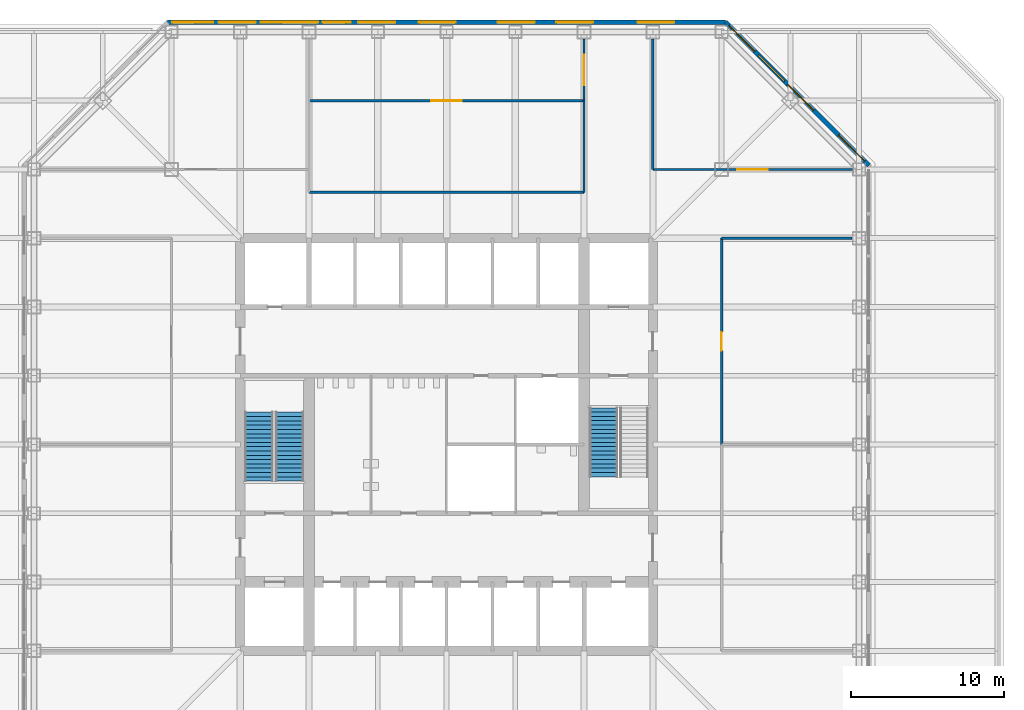
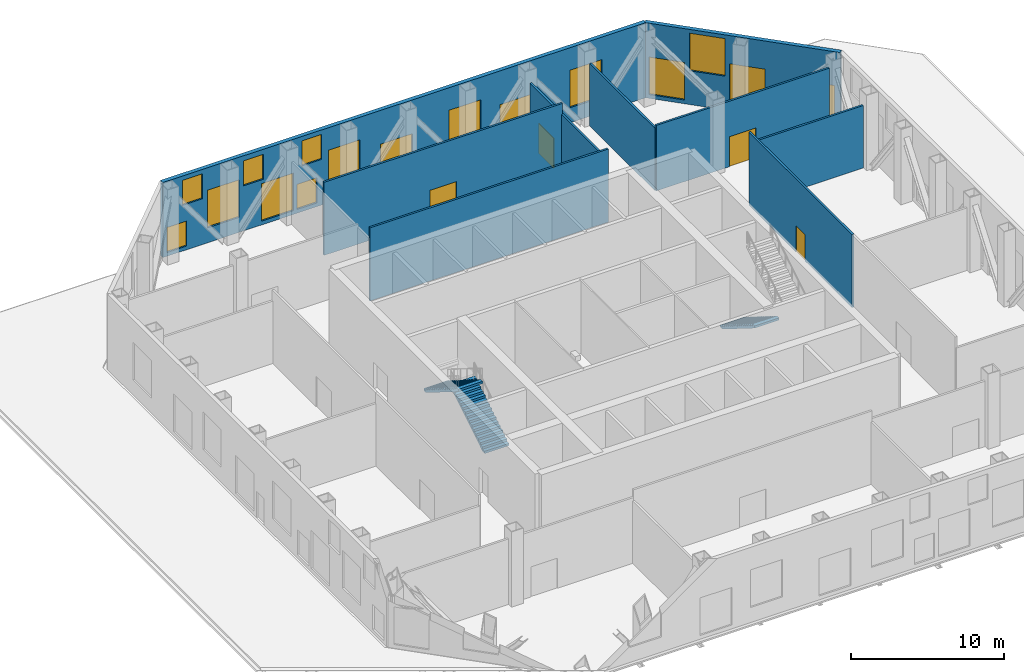
# One storey, part 7 of 10: 16 windows, 10 walls, 4 doors, 3 stair flights, 20 openings, 2 elements without a shape of their own.
"""IFC4 building model written with IfcOpenShell, lengths in metres."""

from ifc_helpers import new_model, si_unit, direction, frame, frame_2d, origin, place, context, subcontext, project, spatial, polyline, rectangle, outline, extrude, material, layer, layer_set, type_object, element, fill, aggregate, save


model = new_model("IFC4")

# Units and contexts
model_context = context("Model", 3, precision=1e-05, world=origin(), true_north=direction((0.0, 1.0)))
body_context = subcontext(model_context, "Body", "Model", "MODEL_VIEW")
ifc_project = project(units=[si_unit("LENGTHUNIT", "METRE"), si_unit("AREAUNIT", "SQUARE_METRE"), si_unit("VOLUMEUNIT", "CUBIC_METRE"), si_unit("PLANEANGLEUNIT", "RADIAN"), si_unit("MASSUNIT", "GRAM", prefix="KILO")], contexts=[model_context])

# Site, building, storey
site_placement = place(None, origin())
site = spatial("IfcSite", under=ifc_project, at=site_placement, CompositionType="ELEMENT")
building_placement = place(site_placement, origin())
building = spatial("IfcBuilding", under=site, at=building_placement, Name="Corais Broadcast Tower", CompositionType="ELEMENT")
storey_placement = place(building_placement, frame((0.0, 0.0, 23.0)))
storey = spatial("IfcBuildingStorey", under=building, at=storey_placement, Name="L04", CompositionType="ELEMENT", Elevation=23.0)

# Walls
ifc_material_1 = material(Name="Two layers of fire-rated gypsum board each side on steel studs", Category="steel")
ifc_layer_1 = layer(ifc_material_1, 0.14990234375)
ifc_layer_set_1 = layer_set([ifc_layer_1], Name="Two layers of fire-rated gypsum board each side on steel studs")
wall_type_1 = type_object("IfcWallType", Name="Fire-rated partition 150 EI 60", PredefinedType="PARTITIONING", material=ifc_layer_set_1)
wall_1_placement = place(storey_placement, frame((18.0, 43.5, 0.0), z_axis=(0.0, 0.0, 1.0), x_axis=(1.0, 0.0, 0.0)))
element("IfcWall", 1, at=wall_1_placement, inside=storey, type_object=wall_type_1, Name="IW7 partition L04", PredefinedType="PARTITIONING", context=body_context, shape_type="SweptSolid", body=[
    extrude(rectangle(XDim=18.0, YDim=0.14990234375, at=frame_2d((9.0, 0.0))), origin(), (0.0, 0.0, 1.0), 5.840087890625),
])
wall_2_placement = place(storey_placement, frame((36.0, 43.5, 0.0), z_axis=(0.0, 0.0, 1.0), x_axis=(0.0, 1.0, 0.0)))
element("IfcWall", 2, at=wall_2_placement, inside=storey, type_object=wall_type_1, Name="IW7 partition L04", PredefinedType="PARTITIONING", context=body_context, shape_type="SweptSolid", body=[
    extrude(rectangle(XDim=6.0, YDim=0.14990234375, at=frame_2d((3.0, 0.0))), origin(), (0.0, 0.0, 1.0), 4.989013671875),
])

# Wall, opening, door
wall_3_placement = place(storey_placement, frame((36.0, 49.5, 0.0), z_axis=(0.0, 0.0, 1.0), x_axis=(-1.0, 0.0, 0.0)))
wall_3 = element("IfcWall", 3, at=wall_3_placement, inside=storey, type_object=wall_type_1, Name="IW7 partition L04", PredefinedType="PARTITIONING", context=body_context, shape_type="SweptSolid", body=[
    extrude(rectangle(XDim=18.0, YDim=0.14990234375, at=frame_2d((9.0, 0.0))), origin(), (0.0, 0.0, 1.0), 5.840087890625),
])
opening_1_placement = place(wall_3_placement, frame((8.0, 0.0, 0.0)))
opening_1 = element("IfcOpeningElement", 4, at=opening_1_placement, cuts=wall_3, Name="Opening D4", PredefinedType="OPENING", context=body_context, shape_type="SweptSolid", body=[
    extrude(rectangle(XDim=2.0, YDim=2.39990234375, at=frame_2d((1.0, 1.199951171875))), frame((0.0, 0.0849609375, 0.0), z_axis=(0.0, -1.0, 0.0), x_axis=(1.0, 0.0, 0.0)), (0.0, 0.0, 1.0), 0.169921875),
])
ifc_material_2 = material(Name="Steel door", Category="steel")
door_type_1 = type_object("IfcDoorType", Name="Plant room door pair 2000x2400", OperationType="DOUBLE_DOOR_SINGLE_SWING", PredefinedType="DOOR", material=ifc_material_2)
door_1_placement = place(opening_1_placement, origin())
door_1 = element("IfcDoor", 5, at=door_1_placement, inside=storey, type_object=door_type_1, Name="D4 Water tank room door", OperationType="SINGLE_SWING_LEFT", OverallHeight=2.39990234375, OverallWidth=2.0, PredefinedType="DOOR", context=body_context, shape_type="SweptSolid", body=[
    extrude(rectangle(XDim=2.0, YDim=2.39990234375, at=frame_2d((1.0, 1.199951171875))), frame((0.0, 0.02490234375, 0.0), z_axis=(0.0, -1.0, 0.0), x_axis=(1.0, 0.0, 0.0)), (0.0, 0.0, 1.0), 0.050048828125),
])
fill(opening_1, door_1)

wall_4_placement = place(storey_placement, frame((40.5, 45.0, 0.0), z_axis=(0.0, 0.0, 1.0), x_axis=(1.0, 0.0, 0.0)))
wall_4 = element("IfcWall", 6, at=wall_4_placement, inside=storey, type_object=wall_type_1, Name="IW7 partition L04", PredefinedType="PARTITIONING", context=body_context, shape_type="SweptSolid", body=[
    extrude(rectangle(XDim=13.06494140625, YDim=0.14990234375, at=frame_2d((6.532470703125, 0.0))), origin(), (0.0, 0.0, 1.0), 5.22900390625),
])
opening_2_placement = place(wall_4_placement, frame((5.532470703125, 0.0, 0.0)))
opening_2 = element("IfcOpeningElement", 7, at=opening_2_placement, cuts=wall_4, Name="Opening D4", PredefinedType="OPENING", context=body_context, shape_type="SweptSolid", body=[
    extrude(rectangle(XDim=2.0, YDim=2.39990234375, at=frame_2d((1.0, 1.199951171875))), frame((0.0, 0.0849609375, 0.0), z_axis=(0.0, -1.0, 0.0), x_axis=(1.0, 0.0, 0.0)), (0.0, 0.0, 1.0), 0.169921875),
])
door_2_placement = place(opening_2_placement, origin())
door_2 = element("IfcDoor", 8, at=door_2_placement, inside=storey, type_object=door_type_1, Name="D4 Building controls plant room door", OperationType="SINGLE_SWING_LEFT", OverallHeight=2.39990234375, OverallWidth=2.0, PredefinedType="DOOR", context=body_context, shape_type="SweptSolid", body=[
    extrude(rectangle(XDim=2.0, YDim=2.39990234375, at=frame_2d((1.0, 1.199951171875))), frame((0.0, 0.02490234375, 0.0), z_axis=(0.0, -1.0, 0.0), x_axis=(1.0, 0.0, 0.0)), (0.0, 0.0, 1.0), 0.050048828125),
])
fill(opening_2, door_2)

# Wall
wall_5_placement = place(storey_placement, frame((40.5, 53.5400390625, 0.0), z_axis=(0.0, 0.0, 1.0), x_axis=(0.0, -1.0, 0.0)))
element("IfcWall", 9, at=wall_5_placement, inside=storey, type_object=wall_type_1, Name="IW7 partition L04", PredefinedType="PARTITIONING", context=body_context, shape_type="SweptSolid", body=[
    extrude(rectangle(XDim=8.5400390625, YDim=0.14990234375, at=frame_2d((4.27001953125, 0.0))), origin(), (0.0, 0.0, 1.0), 4.989013671875),
])

# Wall, opening, door
wall_6_placement = place(storey_placement, frame((36.0, 49.5, 0.0), z_axis=(0.0, 0.0, 1.0), x_axis=(0.0, 1.0, 0.0)))
wall_6 = element("IfcWall", 10, at=wall_6_placement, inside=storey, type_object=wall_type_1, Name="IW7 partition L04", PredefinedType="PARTITIONING", context=body_context, shape_type="SweptSolid", body=[
    extrude(rectangle(XDim=4.0400390625, YDim=0.14990234375, at=frame_2d((2.02001953125, 0.0))), origin(), (0.0, 0.0, 1.0), 4.989013671875),
])
opening_3_placement = place(wall_6_placement, frame((1.02001953125, 0.0, 0.0)))
opening_3 = element("IfcOpeningElement", 11, at=opening_3_placement, cuts=wall_6, Name="Opening D4", PredefinedType="OPENING", context=body_context, shape_type="SweptSolid", body=[
    extrude(rectangle(XDim=2.0, YDim=2.39990234375, at=frame_2d((1.0, 1.199951171875))), frame((0.0, 0.0849609375, 0.0), z_axis=(0.0, -1.0, 0.0), x_axis=(1.0, 0.0, 0.0)), (0.0, 0.0, 1.0), 0.169921875),
])
door_3_placement = place(opening_3_placement, origin())
door_3 = element("IfcDoor", 12, at=door_3_placement, inside=storey, type_object=door_type_1, Name="D4 Booster pump plant room door", OperationType="SINGLE_SWING_LEFT", OverallHeight=2.39990234375, OverallWidth=2.0, PredefinedType="DOOR", context=body_context, shape_type="SweptSolid", body=[
    extrude(rectangle(XDim=2.0, YDim=2.39990234375, at=frame_2d((1.0, 1.199951171875))), frame((0.0, 0.02490234375, 0.0), z_axis=(0.0, -1.0, 0.0), x_axis=(1.0, 0.0, 0.0)), (0.0, 0.0, 1.0), 0.050048828125),
])
fill(opening_3, door_3)

# Wall
ifc_material_3 = material(Name="Two layers of fire-rated gypsum board each side on steel studs", Category="steel")
ifc_layer_2 = layer(ifc_material_3, 0.14990234375)
ifc_layer_set_2 = layer_set([ifc_layer_2], Name="Two layers of fire-rated gypsum board each side on steel studs")
wall_type_2 = type_object("IfcWallType", Name="Fire-rated partition 150 EI 90", PredefinedType="PARTITIONING", material=ifc_layer_set_2)
wall_7_placement = place(storey_placement, frame((53.5400390625, 40.5, 0.0), z_axis=(0.0, 0.0, 1.0), x_axis=(-1.0, 0.0, 0.0)))
element("IfcWall", 13, at=wall_7_placement, inside=storey, type_object=wall_type_2, Name="IW8 partition L04", PredefinedType="PARTITIONING", context=body_context, shape_type="SweptSolid", body=[
    extrude(rectangle(XDim=8.5400390625, YDim=0.14990234375, at=frame_2d((4.27001953125, 0.0))), origin(), (0.0, 0.0, 1.0), 4.989013671875),
])

# Wall, opening, door
wall_8_placement = place(storey_placement, frame((45.0, 40.5, 0.0), z_axis=(0.0, 0.0, 1.0), x_axis=(0.0, -1.0, 0.0)))
wall_8 = element("IfcWall", 14, at=wall_8_placement, inside=storey, type_object=wall_type_2, Name="IW8 partition L04", PredefinedType="PARTITIONING", context=body_context, shape_type="SweptSolid", body=[
    extrude(rectangle(XDim=13.5, YDim=0.14990234375, at=frame_2d((6.75, 0.0))), origin(), (0.0, 0.0, 1.0), 5.840087890625),
])
opening_4_placement = place(wall_8_placement, frame((6.14990234375, 0.0, 0.0)))
opening_4 = element("IfcOpeningElement", 15, at=opening_4_placement, cuts=wall_8, Name="Opening FD1", PredefinedType="OPENING", context=body_context, shape_type="SweptSolid", body=[
    extrude(rectangle(XDim=1.199951171875, YDim=2.10009765625, at=frame_2d((0.60009765625, 1.050048828125))), frame((0.0, 0.0849609375, 0.0), z_axis=(0.0, -1.0, 0.0), x_axis=(1.0, 0.0, 0.0)), (0.0, 0.0, 1.0), 0.169921875),
])
ifc_material_4 = material(Name="Steel fire door", Category="steel")
door_type_2 = type_object("IfcDoorType", Name="Fire door 1200x2100", OperationType="SINGLE_SWING_LEFT", PredefinedType="DOOR", material=ifc_material_4)
door_4_placement = place(opening_4_placement, origin())
door_4 = element("IfcDoor", 16, at=door_4_placement, inside=storey, type_object=door_type_2, Name="FD1 Fire pump plant room door", OperationType="SINGLE_SWING_LEFT", OverallHeight=2.10009765625, OverallWidth=1.199951171875, PredefinedType="DOOR", context=body_context, shape_type="SweptSolid", body=[
    extrude(rectangle(XDim=1.199951171875, YDim=2.10009765625, at=frame_2d((0.60009765625, 1.050048828125))), frame((0.0, 0.02490234375, 0.0), z_axis=(0.0, -1.0, 0.0), x_axis=(1.0, 0.0, 0.0)), (0.0, 0.0, 1.0), 0.050048828125),
])
fill(opening_4, door_4)

# Wall, openings, windows
ifc_material_5 = material(Name="Precast concrete C40/50", Category="concrete")
ifc_layer_3 = layer(ifc_material_5, 0.300048828125)
ifc_layer_set_3 = layer_set([ifc_layer_3], Name="Precast concrete C40/50")
wall_type_3 = type_object("IfcWallType", Name="Stone-faced precast wall 300", PredefinedType="SOLIDWALL", material=ifc_layer_set_3)
wall_9_placement = place(storey_placement, frame((8.739013671875, 54.6298828125, 0.0), z_axis=(0.0, 0.0, 1.0), x_axis=(1.0, 0.0, 0.0)))
wall_9 = element("IfcWall", 17, at=wall_9_placement, inside=storey, type_object=wall_type_3, Name="EW1 external wall L04 4", PredefinedType="SOLIDWALL", context=body_context, shape_type="SweptSolid", body=[
    extrude(rectangle(XDim=36.52197265625, YDim=0.300048828125, at=frame_2d((18.260986328125, 0.0))), origin(), (0.0, 0.0, 1.0), 6.0),
])
opening_5_placement = place(wall_9_placement, frame((0.300048828125, 0.0, 0.300048828125)))
opening_5 = element("IfcOpeningElement", 18, at=opening_5_placement, cuts=wall_9, Name="Opening LV3", PredefinedType="OPENING", context=body_context, shape_type="SweptSolid", body=[
    extrude(rectangle(XDim=1.5, YDim=2.0, at=frame_2d((0.75, 1.0))), frame((0.0, 0.159912109375, 0.0), z_axis=(0.0, -1.0, 0.0), x_axis=(1.0, 0.0, 0.0)), (0.0, 0.0, 1.0), 0.320068359375),
])
opening_6_placement = place(wall_9_placement, frame((3.365234375, 0.0, 1.199951171875)))
opening_6 = element("IfcOpeningElement", 19, at=opening_6_placement, cuts=wall_9, Name="Opening LV1", PredefinedType="OPENING", context=body_context, shape_type="SweptSolid", body=[
    extrude(rectangle(XDim=2.39990234375, YDim=3.0, at=frame_2d((1.199951171875, 1.5))), frame((0.0, 0.159912109375, 0.0), z_axis=(0.0, -1.0, 0.0), x_axis=(1.0, 0.0, 0.0)), (0.0, 0.0, 1.0), 0.320068359375),
])
opening_7_placement = place(wall_9_placement, frame((1.5, 0.0, 3.64990234375)))
opening_7 = element("IfcOpeningElement", 20, at=opening_7_placement, cuts=wall_9, Name="Opening LV3", PredefinedType="OPENING", context=body_context, shape_type="SweptSolid", body=[
    extrude(rectangle(XDim=1.5, YDim=2.0, at=frame_2d((0.75, 1.0))), frame((0.0, 0.159912109375, 0.0), z_axis=(0.0, -1.0, 0.0), x_axis=(1.0, 0.0, 0.0)), (0.0, 0.0, 1.0), 0.320068359375),
])
opening_8_placement = place(wall_9_placement, frame((6.10009765625, 0.0, 3.60009765625)))
opening_8 = element("IfcOpeningElement", 21, at=opening_8_placement, cuts=wall_9, Name="Opening LV3", PredefinedType="OPENING", context=body_context, shape_type="SweptSolid", body=[
    extrude(rectangle(XDim=1.5, YDim=2.0, at=frame_2d((0.75, 1.0))), frame((0.0, 0.159912109375, 0.0), z_axis=(0.0, -1.0, 0.0), x_axis=(1.0, 0.0, 0.0)), (0.0, 0.0, 1.0), 0.320068359375),
])
opening_9_placement = place(wall_9_placement, frame((12.495849609375, 0.0, 1.199951171875)))
opening_9 = element("IfcOpeningElement", 22, at=opening_9_placement, cuts=wall_9, Name="Opening LV1", PredefinedType="OPENING", context=body_context, shape_type="SweptSolid", body=[
    extrude(rectangle(XDim=2.39990234375, YDim=3.0, at=frame_2d((1.199951171875, 1.5))), frame((0.0, 0.159912109375, 0.0), z_axis=(0.0, -1.0, 0.0), x_axis=(1.0, 0.0, 0.0)), (0.0, 0.0, 1.0), 0.320068359375),
])
opening_10_placement = place(wall_9_placement, frame((7.449951171875, 0.0, 0.300048828125)))
opening_10 = element("IfcOpeningElement", 23, at=opening_10_placement, cuts=wall_9, Name="Opening LV1", PredefinedType="OPENING", context=body_context, shape_type="SweptSolid", body=[
    extrude(rectangle(XDim=2.39990234375, YDim=3.0, at=frame_2d((1.199951171875, 1.5))), frame((0.0, 0.159912109375, 0.0), z_axis=(0.0, -1.0, 0.0), x_axis=(1.0, 0.0, 0.0)), (0.0, 0.0, 1.0), 0.320068359375),
])
opening_11_placement = place(wall_9_placement, frame((10.14990234375, 0.0, 0.300048828125)))
opening_11 = element("IfcOpeningElement", 24, at=opening_11_placement, cuts=wall_9, Name="Opening LV3", PredefinedType="OPENING", context=body_context, shape_type="SweptSolid", body=[
    extrude(rectangle(XDim=1.5, YDim=2.0, at=frame_2d((0.75, 1.0))), frame((0.0, 0.159912109375, 0.0), z_axis=(0.0, -1.0, 0.0), x_axis=(1.0, 0.0, 0.0)), (0.0, 0.0, 1.0), 0.320068359375),
])
opening_12_placement = place(wall_9_placement, frame((21.626220703125, 0.0, 1.199951171875)))
opening_12 = element("IfcOpeningElement", 25, at=opening_12_placement, cuts=wall_9, Name="Opening LV1", PredefinedType="OPENING", context=body_context, shape_type="SweptSolid", body=[
    extrude(rectangle(XDim=2.39990234375, YDim=3.0, at=frame_2d((1.199951171875, 1.5))), frame((0.0, 0.159912109375, 0.0), z_axis=(0.0, -1.0, 0.0), x_axis=(1.0, 0.0, 0.0)), (0.0, 0.0, 1.0), 0.320068359375),
])
opening_13_placement = place(wall_9_placement, frame((10.5, 0.0, 3.64990234375)))
opening_13 = element("IfcOpeningElement", 26, at=opening_13_placement, cuts=wall_9, Name="Opening LV3", PredefinedType="OPENING", context=body_context, shape_type="SweptSolid", body=[
    extrude(rectangle(XDim=1.5, YDim=2.0, at=frame_2d((0.75, 1.0))), frame((0.0, 0.159912109375, 0.0), z_axis=(0.0, -1.0, 0.0), x_axis=(1.0, 0.0, 0.0)), (0.0, 0.0, 1.0), 0.320068359375),
])
opening_14_placement = place(wall_9_placement, frame((16.449951171875, 0.0, 0.300048828125)))
opening_14 = element("IfcOpeningElement", 27, at=opening_14_placement, cuts=wall_9, Name="Opening LV1", PredefinedType="OPENING", context=body_context, shape_type="SweptSolid", body=[
    extrude(rectangle(XDim=2.39990234375, YDim=3.0, at=frame_2d((1.199951171875, 1.5))), frame((0.0, 0.159912109375, 0.0), z_axis=(0.0, -1.0, 0.0), x_axis=(1.0, 0.0, 0.0)), (0.0, 0.0, 1.0), 0.320068359375),
])
opening_15_placement = place(wall_9_placement, frame((30.7568359375, 0.0, 1.199951171875)))
opening_15 = element("IfcOpeningElement", 28, at=opening_15_placement, cuts=wall_9, Name="Opening LV1", PredefinedType="OPENING", context=body_context, shape_type="SweptSolid", body=[
    extrude(rectangle(XDim=2.39990234375, YDim=3.0, at=frame_2d((1.199951171875, 1.5))), frame((0.0, 0.159912109375, 0.0), z_axis=(0.0, -1.0, 0.0), x_axis=(1.0, 0.0, 0.0)), (0.0, 0.0, 1.0), 0.320068359375),
])
opening_16_placement = place(wall_9_placement, frame((25.449951171875, 0.0, 0.300048828125)))
opening_16 = element("IfcOpeningElement", 29, at=opening_16_placement, cuts=wall_9, Name="Opening LV1", PredefinedType="OPENING", context=body_context, shape_type="SweptSolid", body=[
    extrude(rectangle(XDim=2.39990234375, YDim=3.0, at=frame_2d((1.199951171875, 1.5))), frame((0.0, 0.159912109375, 0.0), z_axis=(0.0, -1.0, 0.0), x_axis=(1.0, 0.0, 0.0)), (0.0, 0.0, 1.0), 0.320068359375),
])
ifc_material_6 = material(Name="Aluminium frame", Category="aluminium")
window_type_1 = type_object("IfcWindowType", Name="Plant louvre 1500x2000", PartitioningType="SINGLE_PANEL", PredefinedType="USERDEFINED", material=ifc_material_6)
window_1_placement = place(opening_5_placement, origin())
window_1 = element("IfcWindow", 30, at=window_1_placement, inside=storey, type_object=window_type_1, Name="LV3 window L04", ObjectType="LOUVRE", OverallHeight=2.0, OverallWidth=1.5, PartitioningType="SINGLE_PANEL", PredefinedType="USERDEFINED", context=body_context, shape_type="SweptSolid", body=[
    extrude(rectangle(XDim=1.5, YDim=2.0, at=frame_2d((0.75, 1.0))), frame((0.0, 0.030029296875, 0.0), z_axis=(0.0, -1.0, 0.0), x_axis=(1.0, 0.0, 0.0)), (0.0, 0.0, 1.0), 0.06005859375),
])
fill(opening_5, window_1)
window_2_placement = place(opening_7_placement, origin())
window_2 = element("IfcWindow", 31, at=window_2_placement, inside=storey, type_object=window_type_1, Name="LV3 window L04", ObjectType="LOUVRE", OverallHeight=2.0, OverallWidth=1.5, PartitioningType="SINGLE_PANEL", PredefinedType="USERDEFINED", context=body_context, shape_type="SweptSolid", body=[
    extrude(rectangle(XDim=1.5, YDim=2.0, at=frame_2d((0.75, 1.0))), frame((0.0, 0.030029296875, 0.0), z_axis=(0.0, -1.0, 0.0), x_axis=(1.0, 0.0, 0.0)), (0.0, 0.0, 1.0), 0.06005859375),
])
fill(opening_7, window_2)
window_3_placement = place(opening_8_placement, origin())
window_3 = element("IfcWindow", 32, at=window_3_placement, inside=storey, type_object=window_type_1, Name="LV3 window L04", ObjectType="LOUVRE", OverallHeight=2.0, OverallWidth=1.5, PartitioningType="SINGLE_PANEL", PredefinedType="USERDEFINED", context=body_context, shape_type="SweptSolid", body=[
    extrude(rectangle(XDim=1.5, YDim=2.0, at=frame_2d((0.75, 1.0))), frame((0.0, 0.030029296875, 0.0), z_axis=(0.0, -1.0, 0.0), x_axis=(1.0, 0.0, 0.0)), (0.0, 0.0, 1.0), 0.06005859375),
])
fill(opening_8, window_3)
window_4_placement = place(opening_11_placement, origin())
window_4 = element("IfcWindow", 33, at=window_4_placement, inside=storey, type_object=window_type_1, Name="LV3 window L04", ObjectType="LOUVRE", OverallHeight=2.0, OverallWidth=1.5, PartitioningType="SINGLE_PANEL", PredefinedType="USERDEFINED", context=body_context, shape_type="SweptSolid", body=[
    extrude(rectangle(XDim=1.5, YDim=2.0, at=frame_2d((0.75, 1.0))), frame((0.0, 0.030029296875, 0.0), z_axis=(0.0, -1.0, 0.0), x_axis=(1.0, 0.0, 0.0)), (0.0, 0.0, 1.0), 0.06005859375),
])
fill(opening_11, window_4)
window_5_placement = place(opening_13_placement, origin())
window_5 = element("IfcWindow", 34, at=window_5_placement, inside=storey, type_object=window_type_1, Name="LV3 window L04", ObjectType="LOUVRE", OverallHeight=2.0, OverallWidth=1.5, PartitioningType="SINGLE_PANEL", PredefinedType="USERDEFINED", context=body_context, shape_type="SweptSolid", body=[
    extrude(rectangle(XDim=1.5, YDim=2.0, at=frame_2d((0.75, 1.0))), frame((0.0, 0.030029296875, 0.0), z_axis=(0.0, -1.0, 0.0), x_axis=(1.0, 0.0, 0.0)), (0.0, 0.0, 1.0), 0.06005859375),
])
fill(opening_13, window_5)
ifc_material_7 = material(Name="Aluminium frame", Category="aluminium")
window_type_2 = type_object("IfcWindowType", Name="Plant louvre 2400x3000", PartitioningType="SINGLE_PANEL", PredefinedType="USERDEFINED", material=ifc_material_7)
window_6_placement = place(opening_6_placement, origin())
window_6 = element("IfcWindow", 35, at=window_6_placement, inside=storey, type_object=window_type_2, Name="LV1 window L04", ObjectType="LOUVRE", OverallHeight=3.0, OverallWidth=2.39990234375, PartitioningType="SINGLE_PANEL", PredefinedType="USERDEFINED", context=body_context, shape_type="SweptSolid", body=[
    extrude(rectangle(XDim=2.39990234375, YDim=3.0, at=frame_2d((1.199951171875, 1.5))), frame((0.0, 0.030029296875, 0.0), z_axis=(0.0, -1.0, 0.0), x_axis=(1.0, 0.0, 0.0)), (0.0, 0.0, 1.0), 0.06005859375),
])
fill(opening_6, window_6)
window_7_placement = place(opening_9_placement, origin())
window_7 = element("IfcWindow", 36, at=window_7_placement, inside=storey, type_object=window_type_2, Name="LV1 window L04", ObjectType="LOUVRE", OverallHeight=3.0, OverallWidth=2.39990234375, PartitioningType="SINGLE_PANEL", PredefinedType="USERDEFINED", context=body_context, shape_type="SweptSolid", body=[
    extrude(rectangle(XDim=2.39990234375, YDim=3.0, at=frame_2d((1.199951171875, 1.5))), frame((0.0, 0.030029296875, 0.0), z_axis=(0.0, -1.0, 0.0), x_axis=(1.0, 0.0, 0.0)), (0.0, 0.0, 1.0), 0.06005859375),
])
fill(opening_9, window_7)
window_8_placement = place(opening_10_placement, origin())
window_8 = element("IfcWindow", 37, at=window_8_placement, inside=storey, type_object=window_type_2, Name="LV1 window L04", ObjectType="LOUVRE", OverallHeight=3.0, OverallWidth=2.39990234375, PartitioningType="SINGLE_PANEL", PredefinedType="USERDEFINED", context=body_context, shape_type="SweptSolid", body=[
    extrude(rectangle(XDim=2.39990234375, YDim=3.0, at=frame_2d((1.199951171875, 1.5))), frame((0.0, 0.030029296875, 0.0), z_axis=(0.0, -1.0, 0.0), x_axis=(1.0, 0.0, 0.0)), (0.0, 0.0, 1.0), 0.06005859375),
])
fill(opening_10, window_8)
window_9_placement = place(opening_12_placement, origin())
window_9 = element("IfcWindow", 38, at=window_9_placement, inside=storey, type_object=window_type_2, Name="LV1 window L04", ObjectType="LOUVRE", OverallHeight=3.0, OverallWidth=2.39990234375, PartitioningType="SINGLE_PANEL", PredefinedType="USERDEFINED", context=body_context, shape_type="SweptSolid", body=[
    extrude(rectangle(XDim=2.39990234375, YDim=3.0, at=frame_2d((1.199951171875, 1.5))), frame((0.0, 0.030029296875, 0.0), z_axis=(0.0, -1.0, 0.0), x_axis=(1.0, 0.0, 0.0)), (0.0, 0.0, 1.0), 0.06005859375),
])
fill(opening_12, window_9)
window_10_placement = place(opening_14_placement, origin())
window_10 = element("IfcWindow", 39, at=window_10_placement, inside=storey, type_object=window_type_2, Name="LV1 window L04", ObjectType="LOUVRE", OverallHeight=3.0, OverallWidth=2.39990234375, PartitioningType="SINGLE_PANEL", PredefinedType="USERDEFINED", context=body_context, shape_type="SweptSolid", body=[
    extrude(rectangle(XDim=2.39990234375, YDim=3.0, at=frame_2d((1.199951171875, 1.5))), frame((0.0, 0.030029296875, 0.0), z_axis=(0.0, -1.0, 0.0), x_axis=(1.0, 0.0, 0.0)), (0.0, 0.0, 1.0), 0.06005859375),
])
fill(opening_14, window_10)
window_11_placement = place(opening_15_placement, origin())
window_11 = element("IfcWindow", 40, at=window_11_placement, inside=storey, type_object=window_type_2, Name="LV1 window L04", ObjectType="LOUVRE", OverallHeight=3.0, OverallWidth=2.39990234375, PartitioningType="SINGLE_PANEL", PredefinedType="USERDEFINED", context=body_context, shape_type="SweptSolid", body=[
    extrude(rectangle(XDim=2.39990234375, YDim=3.0, at=frame_2d((1.199951171875, 1.5))), frame((0.0, 0.030029296875, 0.0), z_axis=(0.0, -1.0, 0.0), x_axis=(1.0, 0.0, 0.0)), (0.0, 0.0, 1.0), 0.06005859375),
])
fill(opening_15, window_11)
window_12_placement = place(opening_16_placement, origin())
window_12 = element("IfcWindow", 41, at=window_12_placement, inside=storey, type_object=window_type_2, Name="LV1 window L04", ObjectType="LOUVRE", OverallHeight=3.0, OverallWidth=2.39990234375, PartitioningType="SINGLE_PANEL", PredefinedType="USERDEFINED", context=body_context, shape_type="SweptSolid", body=[
    extrude(rectangle(XDim=2.39990234375, YDim=3.0, at=frame_2d((1.199951171875, 1.5))), frame((0.0, 0.030029296875, 0.0), z_axis=(0.0, -1.0, 0.0), x_axis=(1.0, 0.0, 0.0)), (0.0, 0.0, 1.0), 0.06005859375),
])
fill(opening_16, window_12)

wall_10_placement = place(storey_placement, frame((45.260986328125, 54.6298828125, 0.0), z_axis=(0.0, 0.0, 1.0), x_axis=(0.707106781187, -0.707106781187, 0.0)))
wall_10 = element("IfcWall", 42, at=wall_10_placement, inside=storey, type_object=wall_type_3, Name="EW1 external wall L04 5", PredefinedType="SOLIDWALL", context=body_context, shape_type="SweptSolid", body=[
    extrude(rectangle(XDim=13.24951171875, YDim=0.300048828125, at=frame_2d((6.624755859375, 0.0))), origin(), (0.0, 0.0, 1.0), 6.0),
])
opening_17_placement = place(wall_10_placement, frame((0.300048828125, 0.0, 0.300048828125)))
opening_17 = element("IfcOpeningElement", 43, at=opening_17_placement, cuts=wall_10, Name="Opening LV1", PredefinedType="OPENING", context=body_context, shape_type="SweptSolid", body=[
    extrude(rectangle(XDim=2.39990234375, YDim=3.0, at=frame_2d((1.199951171875, 1.5))), frame((0.0, 0.159912109375, 0.0), z_axis=(0.0, -1.0, 0.0), x_axis=(1.0, 0.0, 0.0)), (0.0, 0.0, 1.0), 0.320068359375),
])
opening_18_placement = place(wall_10_placement, frame((3.050048828125, 0.0, 2.699951171875)))
opening_18 = element("IfcOpeningElement", 44, at=opening_18_placement, cuts=wall_10, Name="Opening LV1", PredefinedType="OPENING", context=body_context, shape_type="SweptSolid", body=[
    extrude(rectangle(XDim=2.39990234375, YDim=3.0, at=frame_2d((1.199951171875, 1.5))), frame((0.0, 0.159912109375, 0.0), z_axis=(0.0, -1.0, 0.0), x_axis=(1.0, 0.0, 0.0)), (0.0, 0.0, 1.0), 0.320068359375),
])
opening_19_placement = place(wall_10_placement, frame((5.75, 0.0, 0.75)))
opening_19 = element("IfcOpeningElement", 45, at=opening_19_placement, cuts=wall_10, Name="Opening LV1", PredefinedType="OPENING", context=body_context, shape_type="SweptSolid", body=[
    extrude(rectangle(XDim=2.39990234375, YDim=3.0, at=frame_2d((1.199951171875, 1.5))), frame((0.0, 0.159912109375, 0.0), z_axis=(0.0, -1.0, 0.0), x_axis=(1.0, 0.0, 0.0)), (0.0, 0.0, 1.0), 0.320068359375),
])
opening_20_placement = place(wall_10_placement, frame((10.449951171875, 0.0, 0.300048828125)))
opening_20 = element("IfcOpeningElement", 46, at=opening_20_placement, cuts=wall_10, Name="Opening LV1", PredefinedType="OPENING", context=body_context, shape_type="SweptSolid", body=[
    extrude(rectangle(XDim=2.39990234375, YDim=3.0, at=frame_2d((1.199951171875, 1.5))), frame((0.0, 0.159912109375, 0.0), z_axis=(0.0, -1.0, 0.0), x_axis=(1.0, 0.0, 0.0)), (0.0, 0.0, 1.0), 0.320068359375),
])
window_13_placement = place(opening_17_placement, origin())
window_13 = element("IfcWindow", 47, at=window_13_placement, inside=storey, type_object=window_type_2, Name="LV1 window L04", ObjectType="LOUVRE", OverallHeight=3.0, OverallWidth=2.39990234375, PartitioningType="SINGLE_PANEL", PredefinedType="USERDEFINED", context=body_context, shape_type="SweptSolid", body=[
    extrude(rectangle(XDim=2.39990234375, YDim=3.0, at=frame_2d((1.199951171875, 1.5))), frame((0.0, 0.030029296875, 0.0), z_axis=(0.0, -1.0, 0.0), x_axis=(1.0, 0.0, 0.0)), (0.0, 0.0, 1.0), 0.06005859375),
])
fill(opening_17, window_13)
window_14_placement = place(opening_18_placement, origin())
window_14 = element("IfcWindow", 48, at=window_14_placement, inside=storey, type_object=window_type_2, Name="LV1 window L04", ObjectType="LOUVRE", OverallHeight=3.0, OverallWidth=2.39990234375, PartitioningType="SINGLE_PANEL", PredefinedType="USERDEFINED", context=body_context, shape_type="SweptSolid", body=[
    extrude(rectangle(XDim=2.39990234375, YDim=3.0, at=frame_2d((1.199951171875, 1.5))), frame((0.0, 0.030029296875, 0.0), z_axis=(0.0, -1.0, 0.0), x_axis=(1.0, 0.0, 0.0)), (0.0, 0.0, 1.0), 0.06005859375),
])
fill(opening_18, window_14)
window_15_placement = place(opening_19_placement, origin())
window_15 = element("IfcWindow", 49, at=window_15_placement, inside=storey, type_object=window_type_2, Name="LV1 window L04", ObjectType="LOUVRE", OverallHeight=3.0, OverallWidth=2.39990234375, PartitioningType="SINGLE_PANEL", PredefinedType="USERDEFINED", context=body_context, shape_type="SweptSolid", body=[
    extrude(rectangle(XDim=2.39990234375, YDim=3.0, at=frame_2d((1.199951171875, 1.5))), frame((0.0, 0.030029296875, 0.0), z_axis=(0.0, -1.0, 0.0), x_axis=(1.0, 0.0, 0.0)), (0.0, 0.0, 1.0), 0.06005859375),
])
fill(opening_19, window_15)
window_16_placement = place(opening_20_placement, origin())
window_16 = element("IfcWindow", 50, at=window_16_placement, inside=storey, type_object=window_type_2, Name="LV1 window L04", ObjectType="LOUVRE", OverallHeight=3.0, OverallWidth=2.39990234375, PartitioningType="SINGLE_PANEL", PredefinedType="USERDEFINED", context=body_context, shape_type="SweptSolid", body=[
    extrude(rectangle(XDim=2.39990234375, YDim=3.0, at=frame_2d((1.199951171875, 1.5))), frame((0.0, 0.030029296875, 0.0), z_axis=(0.0, -1.0, 0.0), x_axis=(1.0, 0.0, 0.0)), (0.0, 0.0, 1.0), 0.06005859375),
])
fill(opening_20, window_16)

# Stair, stair flights
ifc_material_8 = material(Name="Concrete C30/37", Category="concrete")
stair_type = type_object("IfcStairType", Name="Half-turn stair 6000", PredefinedType="HALF_TURN_STAIR", material=ifc_material_8)
stair_1_placement = place(storey_placement, origin())
stair_1 = element("IfcStair", 51, at=stair_1_placement, inside=storey, type_object=stair_type, Name="Stair A L04", PredefinedType="HALF_TURN_STAIR")
ifc_material_9 = material(Name="Concrete C30/37", Category="concrete")
stair_flight_type = type_object("IfcStairFlightType", Name="Stair flight 6000", PredefinedType="STRAIGHT", material=ifc_material_9)
stair_flight_1_placement = place(storey_placement, frame((16.72509765625, 24.60009765625, 0.0), z_axis=(0.0, 0.0, 1.0), x_axis=(0.0, 1.0, 0.0)))
stair_flight_1 = element("IfcStairFlight", 52, at=stair_flight_1_placement, type_object=stair_flight_type, Name="STA flight 1", NumberOfRisers=17, NumberOfTreads=16, PredefinedType="STRAIGHT", RiserHeight=0.176470588, TreadLength=0.282, context=body_context, shape_type="SweptSolid", body=[
    extrude(outline(polyline([(0.0, 0.0), (0.0, 0.176513671875), (0.281982421875, 0.176513671875), (0.281982421875, 0.35302734375), (0.56396484375, 0.35302734375), (0.56396484375, 0.529296875), (0.845947265625, 0.529296875), (0.845947265625, 0.705810546875), (1.1279296875, 0.705810546875), (1.1279296875, 0.88232421875), (1.409912109375, 0.88232421875), (1.409912109375, 1.058837890625), (1.69189453125, 1.058837890625), (1.69189453125, 1.2353515625), (1.97412109375, 1.2353515625), (1.97412109375, 1.411865234375), (2.256103515625, 1.411865234375), (2.256103515625, 1.588134765625), (2.5380859375, 1.588134765625), (2.5380859375, 1.7646484375), (2.820068359375, 1.7646484375), (2.820068359375, 1.941162109375), (3.10205078125, 1.941162109375), (3.10205078125, 2.11767578125), (3.384033203125, 2.11767578125), (3.384033203125, 2.294189453125), (3.666015625, 2.294189453125), (3.666015625, 2.470703125), (3.947998046875, 2.470703125), (3.947998046875, 2.64697265625), (4.22998046875, 2.64697265625), (4.22998046875, 2.823486328125), (4.511962890625, 2.823486328125), (4.511962890625, 3.0), (4.511962890625, 2.646728515625), (0.282470703125, 0.0), (0.0, 0.0)])), frame((0.0, 0.925048828125, 0.0), z_axis=(0.0, -1.0, 0.0), x_axis=(1.0, 0.0, 0.0)), (0.0, 0.0, 1.0), 1.85009765625),
])
stair_flight_2_placement = place(storey_placement, frame((14.72509765625, 29.112060546875, 3.0), z_axis=(0.0, 0.0, 1.0), x_axis=(0.0, -1.0, 0.0)))
stair_flight_2 = element("IfcStairFlight", 53, at=stair_flight_2_placement, type_object=stair_flight_type, Name="STA flight 2", NumberOfRisers=17, NumberOfTreads=16, PredefinedType="STRAIGHT", RiserHeight=0.176470588, TreadLength=0.282, context=body_context, shape_type="SweptSolid", body=[
    extrude(outline(polyline([(0.0, 0.0), (0.0, 0.176513671875), (0.281982421875, 0.176513671875), (0.281982421875, 0.35302734375), (0.56396484375, 0.35302734375), (0.56396484375, 0.529296875), (0.845947265625, 0.529296875), (0.845947265625, 0.705810546875), (1.1279296875, 0.705810546875), (1.1279296875, 0.88232421875), (1.409912109375, 0.88232421875), (1.409912109375, 1.058837890625), (1.69189453125, 1.058837890625), (1.69189453125, 1.2353515625), (1.97412109375, 1.2353515625), (1.97412109375, 1.411865234375), (2.256103515625, 1.411865234375), (2.256103515625, 1.588134765625), (2.5380859375, 1.588134765625), (2.5380859375, 1.7646484375), (2.820068359375, 1.7646484375), (2.820068359375, 1.941162109375), (3.10205078125, 1.941162109375), (3.10205078125, 2.11767578125), (3.384033203125, 2.11767578125), (3.384033203125, 2.294189453125), (3.666015625, 2.294189453125), (3.666015625, 2.470703125), (3.947998046875, 2.470703125), (3.947998046875, 2.64697265625), (4.22998046875, 2.64697265625), (4.22998046875, 2.823486328125), (4.511962890625, 2.823486328125), (4.511962890625, 3.0), (4.511962890625, 2.646728515625), (0.282470703125, 0.0), (0.0, 0.0)])), frame((0.0, 0.925048828125, 0.0), z_axis=(0.0, -1.0, 0.0), x_axis=(1.0, 0.0, 0.0)), (0.0, 0.0, 1.0), 1.85009765625),
])
aggregate(stair_1, [stair_flight_1, stair_flight_2])

# Stair, stair flight
stair_2_placement = place(storey_placement, origin())
stair_2 = element("IfcStair", 54, at=stair_2_placement, inside=storey, type_object=stair_type, Name="Stair B L04", PredefinedType="HALF_TURN_STAIR")
stair_flight_3_placement = place(storey_placement, frame((37.27490234375, 29.39990234375, 0.0), z_axis=(0.0, 0.0, 1.0), x_axis=(0.0, -1.0, 0.0)))
stair_flight_3 = element("IfcStairFlight", 55, at=stair_flight_3_placement, type_object=stair_flight_type, Name="STB flight 1", NumberOfRisers=17, NumberOfTreads=16, PredefinedType="STRAIGHT", RiserHeight=0.176470588, TreadLength=0.282, context=body_context, shape_type="SweptSolid", body=[
    extrude(outline(polyline([(0.0, 0.0), (0.0, 0.176513671875), (0.281982421875, 0.176513671875), (0.281982421875, 0.35302734375), (0.56396484375, 0.35302734375), (0.56396484375, 0.529296875), (0.845947265625, 0.529296875), (0.845947265625, 0.705810546875), (1.1279296875, 0.705810546875), (1.1279296875, 0.88232421875), (1.409912109375, 0.88232421875), (1.409912109375, 1.058837890625), (1.69189453125, 1.058837890625), (1.69189453125, 1.2353515625), (1.97412109375, 1.2353515625), (1.97412109375, 1.411865234375), (2.256103515625, 1.411865234375), (2.256103515625, 1.588134765625), (2.5380859375, 1.588134765625), (2.5380859375, 1.7646484375), (2.820068359375, 1.7646484375), (2.820068359375, 1.941162109375), (3.10205078125, 1.941162109375), (3.10205078125, 2.11767578125), (3.384033203125, 2.11767578125), (3.384033203125, 2.294189453125), (3.666015625, 2.294189453125), (3.666015625, 2.470703125), (3.947998046875, 2.470703125), (3.947998046875, 2.64697265625), (4.22998046875, 2.64697265625), (4.22998046875, 2.823486328125), (4.511962890625, 2.823486328125), (4.511962890625, 3.0), (4.511962890625, 2.646728515625), (0.282470703125, 0.0), (0.0, 0.0)])), frame((0.0, 0.925048828125, 0.0), z_axis=(0.0, -1.0, 0.0), x_axis=(1.0, 0.0, 0.0)), (0.0, 0.0, 1.0), 1.85009765625),
])
aggregate(stair_2, [stair_flight_3])

save(model, "model.ifc")
